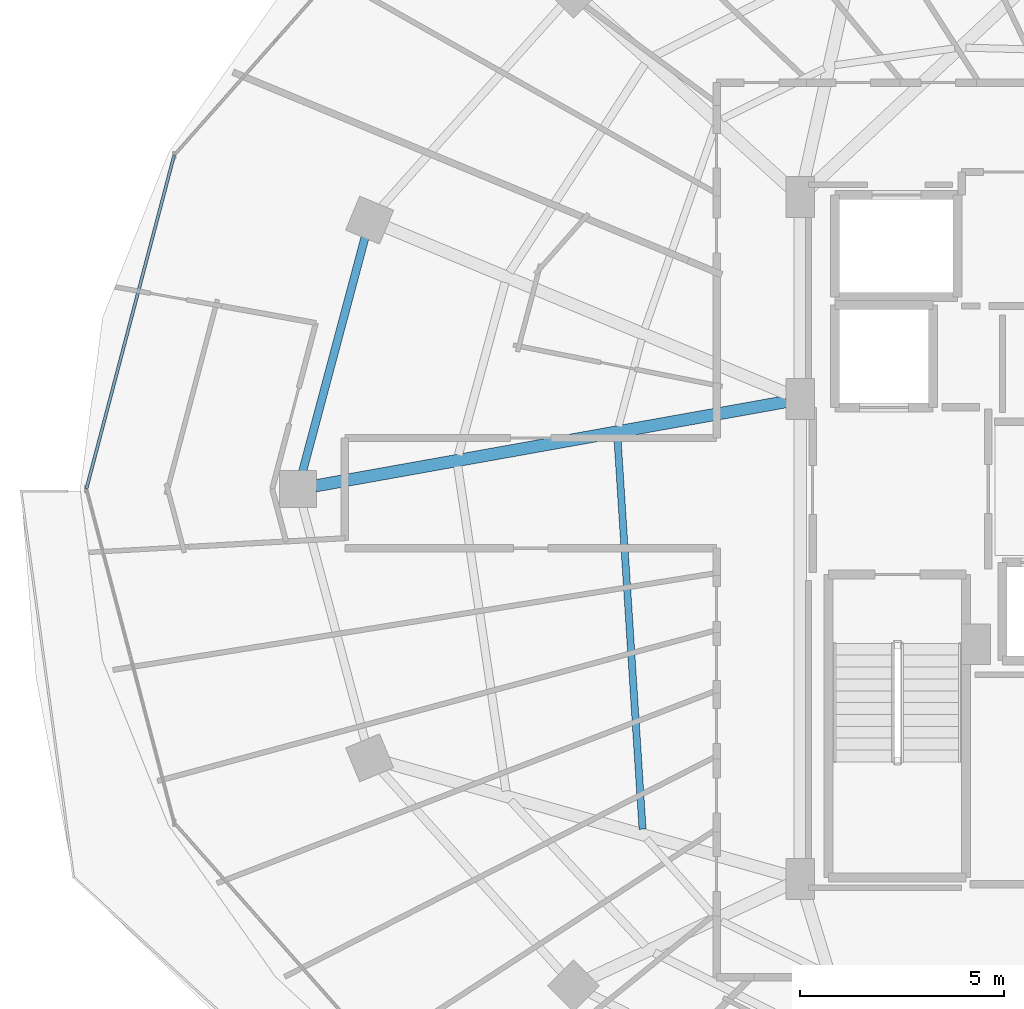
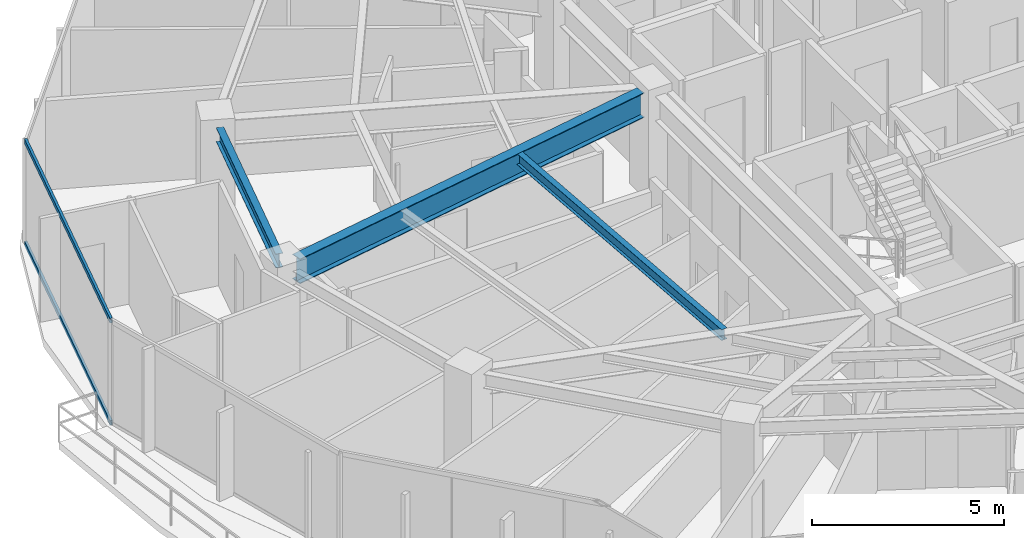
# One storey, part 8 of 33: 3 beams, 2 members, 1 element without a shape of its own.
"""IFC4 building model written with IfcOpenShell, lengths in metres."""

from ifc_helpers import new_model, si_unit, direction, frame, origin, origin_2d, place, context, subcontext, project, spatial, hollow_rectangle, i_section, extrude, material, material_profile, profile_set, type_object, element, aggregate, save


model = new_model("IFC4")

# Units and contexts
model_context = context("Model", 3, precision=1e-05, world=origin(), true_north=direction((0.0, 1.0)))
body_context = subcontext(model_context, "Body", "Model", "MODEL_VIEW")
ifc_project = project(units=[si_unit("LENGTHUNIT", "METRE"), si_unit("AREAUNIT", "SQUARE_METRE"), si_unit("VOLUMEUNIT", "CUBIC_METRE"), si_unit("PLANEANGLEUNIT", "RADIAN"), si_unit("MASSUNIT", "GRAM", prefix="KILO")], contexts=[model_context])

# Site, building, storey
site_placement = place(None, origin())
site = spatial("IfcSite", under=ifc_project, at=site_placement, CompositionType="ELEMENT")
building_placement = place(site_placement, origin())
building = spatial("IfcBuilding", under=site, at=building_placement, Name="Vorneva Point Tower", CompositionType="ELEMENT")
storey_placement = place(building_placement, frame((0.0, 0.0, 217.85009765625)))
storey = spatial("IfcBuildingStorey", under=building, at=storey_placement, Name="L59", CompositionType="ELEMENT", Elevation=217.85009765625)

# Beams
ifc_material_1 = material(Name="Steel S355", Category="steel")
ifc_material_profile_1 = material_profile(ifc_material_1, i_section(OverallWidth=0.300048828125, OverallDepth=0.7880859375, WebThickness=0.014404296875, FlangeThickness=0.02197265625, at=origin_2d()), Name="80Sh1")
ifc_profile_set_1 = profile_set([ifc_material_profile_1], Name="Steel S355")
beam_type_1 = type_object("IfcBeamType", Name="BM-GRD-80Sh1", PredefinedType="USERDEFINED", material=ifc_profile_set_1)
beam_1_placement = place(storey_placement, frame((15.381103515625, 26.0771484375, 2.89599609375), z_axis=(0.984378602255, 0.176064668298, 0.0), x_axis=(-0.176064668298, 0.984378602255, 0.0)))
element("IfcBeam", 1, at=beam_1_placement, inside=storey, type_object=beam_type_1, Name="L59 Radial Primary Girder 09", ObjectType="GIRDER", PredefinedType="USERDEFINED", context=body_context, shape_type="SweptSolid", body=[
    extrude(i_section(OverallWidth=0.300048828125, OverallDepth=0.7880859375, WebThickness=0.014404296875, FlangeThickness=0.02197265625, at=origin_2d()), origin(), (0.0, 0.0, 1.0), 11.71728515625),
])
ifc_material_profile_2 = material_profile(ifc_material_1, i_section(OverallWidth=0.174072265625, OverallDepth=0.345947265625, WebThickness=0.006103515625, FlangeThickness=0.009033203125, at=origin_2d()), Name="35B1")
ifc_profile_set_2 = profile_set([ifc_material_profile_2], Name="Steel S355")
beam_type_2 = type_object("IfcBeamType", Name="BM-SEC-35B1", PredefinedType="BEAM", material=ifc_profile_set_2)
beam_2_placement = place(storey_placement, frame((22.77197265625, 27.259765625, 3.116943359375), z_axis=(0.064039403471, -0.997947370758, 0.0), x_axis=(0.997947370758, 0.064039403471, 0.0)))
element("IfcBeam", 2, at=beam_2_placement, inside=storey, type_object=beam_type_2, Name="L59 Secondary Floor Beam 2.09", PredefinedType="BEAM", context=body_context, shape_type="SweptSolid", body=[
    extrude(i_section(OverallWidth=0.174072265625, OverallDepth=0.345947265625, WebThickness=0.006103515625, FlangeThickness=0.009033203125, at=origin_2d()), origin(), (0.0, 0.0, 1.0), 9.607177734375),
])
ifc_material_profile_3 = material_profile(ifc_material_1, i_section(OverallWidth=0.198974609375, OverallDepth=0.446044921875, WebThickness=0.008056640625, FlangeThickness=0.011962890625, at=origin_2d()), Name="45B1")
ifc_profile_set_3 = profile_set([ifc_material_profile_3], Name="Steel S355")
beam_type_3 = type_object("IfcBeamType", Name="BM-SPN-45B1", PredefinedType="SPANDREL", material=ifc_profile_set_3)
beam_3_placement = place(storey_placement, frame((16.592529296875, 32.161865234375, 3.06689453125), z_axis=(-0.257578258003, -0.966257440336, 0.0), x_axis=(0.966257440336, -0.257578258003, 0.0)))
element("IfcBeam", 3, at=beam_3_placement, inside=storey, type_object=beam_type_3, Name="L59 Perimeter Spandrel Ring Beam 08", PredefinedType="SPANDREL", context=body_context, shape_type="SweptSolid", body=[
    extrude(i_section(OverallWidth=0.198974609375, OverallDepth=0.446044921875, WebThickness=0.008056640625, FlangeThickness=0.011962890625, at=origin_2d()), origin(), (0.0, 0.0, 1.0), 5.94189453125),
])

# Curtain wall, members
ifc_material_2 = material(Name="Pale anodised aluminium", Category="aluminium")
curtain_wall_type = type_object("IfcCurtainWallType", Name="CW-RES-SYS", PredefinedType="NOTDEFINED", material=ifc_material_2)
curtain_wall_placement = place(storey_placement, origin())
curtain_wall = element("IfcCurtainWall", 4, at=curtain_wall_placement, inside=storey, type_object=curtain_wall_type, Name="L59 Unitised Curtain Wall CW-L59-R02", PredefinedType="NOTDEFINED")
ifc_material_profile_4 = material_profile(ifc_material_2, hollow_rectangle(XDim=0.074951171875, YDim=0.14990234375, WallThickness=0.00390625, at=origin_2d()), Name="AL-TRN 150x75x4")
ifc_profile_set_4 = profile_set([ifc_material_profile_4], Name="Pale anodised aluminium")
member_type = type_object("IfcMemberType", Name="CW-TRN-150", PredefinedType="USERDEFINED", material=ifc_profile_set_4)
member_1_placement = place(storey_placement, frame((11.9189453125, 34.17041015625, 0.02001953125), z_axis=(-0.254362431281, -0.967108966742, 0.0), x_axis=(0.967108966742, -0.254362431281, 0.0)))
member_1 = element("IfcMember", 5, at=member_1_placement, type_object=member_type, Name="CW-L59-R02 Transom 02.1", ObjectType="TRANSOM", PredefinedType="USERDEFINED", context=body_context, shape_type="SweptSolid", body=[
    extrude(hollow_rectangle(XDim=0.074951171875, YDim=0.14990234375, WallThickness=0.00390625, at=origin_2d()), origin(), (0.0, 0.0, 1.0), 8.4482421875),
])
member_2_placement = place(storey_placement, frame((11.9189453125, 34.17041015625, 3.27001953125), z_axis=(-0.254362431281, -0.967108966742, 0.0), x_axis=(0.967108966742, -0.254362431281, 0.0)))
member_2 = element("IfcMember", 6, at=member_2_placement, type_object=member_type, Name="CW-L59-R02 Transom 02.2", ObjectType="TRANSOM", PredefinedType="USERDEFINED", context=body_context, shape_type="SweptSolid", body=[
    extrude(hollow_rectangle(XDim=0.074951171875, YDim=0.14990234375, WallThickness=0.00390625, at=origin_2d()), origin(), (0.0, 0.0, 1.0), 8.4482421875),
])
aggregate(curtain_wall, [member_1, member_2])

save(model, "model.ifc")
